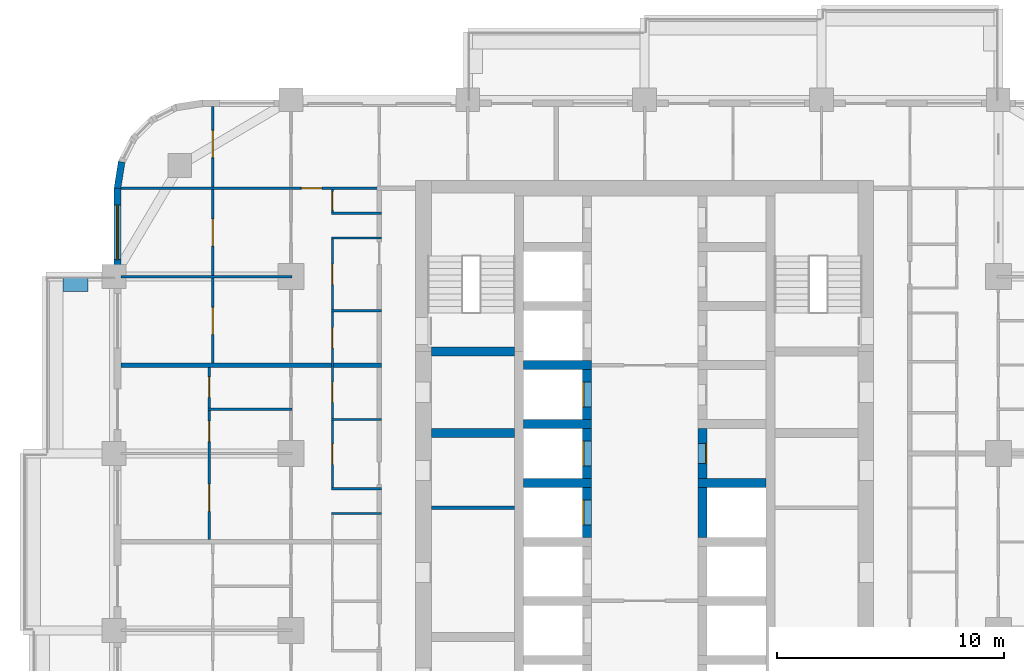
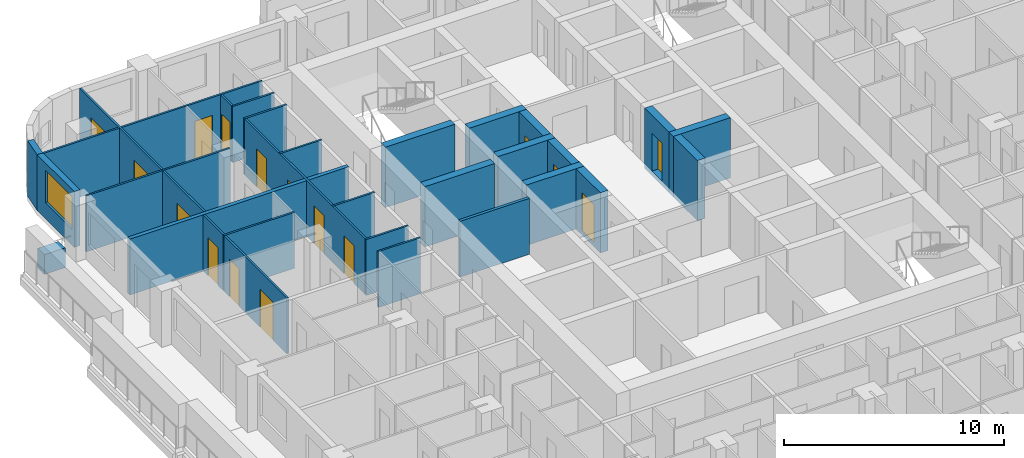
# One storey, part 10 of 17: 29 walls, 16 doors, 1 window, 17 openings.
"""IFC4 building model written with IfcOpenShell, lengths in metres."""

from ifc_helpers import new_model, si_unit, direction, frame, frame_2d, origin, place, context, subcontext, project, spatial, rectangle, extrude, material, layer, layer_set, type_object, element, fill, save


model = new_model("IFC4")

# Units and contexts
model_context = context("Model", 3, precision=1e-05, world=origin(), true_north=direction((0.0, 1.0)))
body_context = subcontext(model_context, "Body", "Model", "MODEL_VIEW")
ifc_project = project(units=[si_unit("LENGTHUNIT", "METRE"), si_unit("AREAUNIT", "SQUARE_METRE"), si_unit("VOLUMEUNIT", "CUBIC_METRE"), si_unit("PLANEANGLEUNIT", "RADIAN"), si_unit("MASSUNIT", "GRAM", prefix="KILO")], contexts=[model_context])

# Site, building, storey
site_placement = place(None, origin())
site = spatial("IfcSite", under=ifc_project, at=site_placement, CompositionType="ELEMENT")
building_placement = place(site_placement, origin())
building = spatial("IfcBuilding", under=site, at=building_placement, Name="Ludao Terraces", CompositionType="ELEMENT")
storey_placement = place(building_placement, frame((0.0, 0.0, 43.300048828125)))
storey = spatial("IfcBuildingStorey", under=building, at=storey_placement, Name="L11", CompositionType="ELEMENT", Elevation=43.300048828125)

# Wall
ifc_material_1 = material(Name="Concrete C40", Category="concrete")
ifc_layer_1 = layer(ifc_material_1, 0.60009765625)
ifc_layer_set_1 = layer_set([ifc_layer_1], Name="ENV Planter trough 600")
wall_type_1 = type_object("IfcWallType", Name="ENV Planter trough 600", PredefinedType="USERDEFINED", material=ifc_layer_set_1)
wall_1_placement = place(storey_placement, frame((59.35009765625, 80.25, 0.0), z_axis=(0.0, 0.0, 1.0), x_axis=(1.0, 0.0, 0.0)))
element("IfcWall", 1, at=wall_1_placement, inside=storey, type_object=wall_type_1, Name="PL-L11-W4-SB", ObjectType="PLANTER", PredefinedType="USERDEFINED", context=body_context, shape_type="SweptSolid", body=[
    extrude(rectangle(XDim=1.099853515625, YDim=0.60009765625, at=frame_2d((0.5498046875, 0.0))), origin(), (0.0, 0.0, 1.0), 1.099853515625),
])

# Wall, opening, window
ifc_material_2 = material(Name="Granite cladding", Category="masonry")
ifc_layer_2 = layer(ifc_material_2, 0.0400390625, Category="stone")
ifc_material_3 = material(Name="Mineral wool")
ifc_layer_3 = layer(ifc_material_3, 0.06005859375)
ifc_layer_4 = layer(ifc_material_1, 0.199951171875, Category="concrete")
ifc_layer_set_2 = layer_set([ifc_layer_2, ifc_layer_3, ifc_layer_4], Name="ENV Stone-clad wall 300")
wall_type_2 = type_object("IfcWallType", Name="ENV Stone-clad wall 300", PredefinedType="SOLIDWALL", material=ifc_layer_set_2)
wall_2_placement = place(storey_placement, frame((61.75, 81.125, 0.0), z_axis=(0.0, 0.0, 1.0), x_axis=(0.0, 1.0, 0.0)))
wall_2 = element("IfcWall", 2, at=wall_2_placement, inside=storey, type_object=wall_type_2, Name="EW-L11-W6", PredefinedType="SOLIDWALL", context=body_context, shape_type="SweptSolid", body=[
    extrude(rectangle(XDim=3.375, YDim=0.300048828125, at=frame_2d((1.6875, 0.0))), origin(), (0.0, 0.0, 1.0), 3.099853515625),
])
opening_1_placement = place(wall_2_placement, frame((0.22509765625, 0.0, 0.89990234375)))
opening_1 = element("IfcOpeningElement", 3, at=opening_1_placement, cuts=wall_2, Name="Opening W1", PredefinedType="OPENING", context=body_context, shape_type="SweptSolid", body=[
    extrude(rectangle(XDim=2.39990234375, YDim=1.800048828125, at=frame_2d((1.199951171875, 0.89990234375))), frame((0.0, 0.16015625, 0.0), z_axis=(0.0, -1.0, 0.0), x_axis=(1.0, 0.0, 0.0)), (0.0, 0.0, 1.0), 0.320068359375),
])
ifc_material_4 = material(Name="Clear glass in aluminium frame", Category="aluminium")
ifc_layer_5 = layer(ifc_material_4, 0.06005859375)
ifc_layer_set_3 = layer_set([ifc_layer_5], Name="ENV Window W1 2400x1800")
window_type = type_object("IfcWindowType", Name="ENV Window W1 2400x1800", PartitioningType="DOUBLE_PANEL_VERTICAL", PredefinedType="WINDOW", material=ifc_layer_set_3)
window_placement = place(opening_1_placement, origin())
window = element("IfcWindow", 4, at=window_placement, inside=storey, type_object=window_type, Name="W-L11-W6-1", OverallHeight=1.800048828125, OverallWidth=2.39990234375, PartitioningType="DOUBLE_PANEL_VERTICAL", PredefinedType="WINDOW", context=body_context, shape_type="SweptSolid", body=[
    extrude(rectangle(XDim=2.39990234375, YDim=1.800048828125, at=frame_2d((1.199951171875, 0.89990234375))), frame((0.0, 0.030029296875, 0.0), z_axis=(0.0, -1.0, 0.0), x_axis=(1.0, 0.0, 0.0)), (0.0, 0.0, 1.0), 0.06005859375),
])
fill(opening_1, window)

# Walls
wall_3_placement = place(storey_placement, frame((61.93359375, 85.65869140625, 0.0), z_axis=(0.0, 0.0, 1.0), x_axis=(-0.156496880861, -0.987678452879, 0.0)))
element("IfcWall", 5, at=wall_3_placement, inside=storey, type_object=wall_type_2, Name="EW-L11-NW5", PredefinedType="SOLIDWALL", context=body_context, shape_type="SweptSolid", body=[
    extrude(rectangle(XDim=1.173095703125, YDim=0.300048828125, at=frame_2d((0.58642578125, 0.0))), origin(), (0.0, 0.0, 1.0), 3.099853515625),
])
ifc_material_5 = material(Name="Fire-rated gypsum plasterboard", Category="gypsum")
ifc_layer_6 = layer(ifc_material_5, 0.012451171875, Category="gypsum")
ifc_layer_7 = layer(ifc_material_3, 0.10009765625, Name="insulation")
ifc_material_6 = material(Name="Steel Q235", Category="steel")
ifc_layer_8 = layer(ifc_material_6, 0.02490234375, Name="stud")
ifc_layer_9 = layer(ifc_material_5, 0.012451171875, Category="gypsum")
ifc_layer_set_4 = layer_set([ifc_layer_6, ifc_layer_7, ifc_layer_8, ifc_layer_9], Name="INT Core partition 150")
wall_type_3 = type_object("IfcWallType", Name="INT Core partition 150", PredefinedType="PARTITIONING", material=ifc_layer_set_4)
wall_4_placement = place(storey_placement, frame((75.60009765625, 70.39990234375, 0.0), z_axis=(0.0, 0.0, 1.0), x_axis=(1.0, 0.0, 0.0)))
element("IfcWall", 6, at=wall_4_placement, inside=storey, type_object=wall_type_3, Name="PW-L11-PW052", PredefinedType="PARTITIONING", context=body_context, shape_type="SweptSolid", body=[
    extrude(rectangle(XDim=3.64990234375, YDim=0.14990234375, at=frame_2d((1.824951171875, 0.0))), origin(), (0.0, 0.0, 1.0), 3.099853515625),
])
ifc_material_7 = material(Name="Gypsum plasterboard", Category="gypsum")
ifc_layer_10 = layer(ifc_material_7, 0.012451171875, Category="gypsum")
ifc_layer_11 = layer(ifc_material_3, 0.06005859375, Name="insulation")
ifc_layer_12 = layer(ifc_material_6, 0.014892578125, Name="stud")
ifc_layer_13 = layer(ifc_material_7, 0.012451171875, Category="gypsum")
ifc_layer_set_5 = layer_set([ifc_layer_10, ifc_layer_11, ifc_layer_12, ifc_layer_13], Name="INT Partition 100")
wall_type_4 = type_object("IfcWallType", Name="INT Partition 100", PredefinedType="PARTITIONING", material=ifc_layer_set_5)
for number, where, z_axis, x_axis, name in (
    (7, (71.18017578125, 70.14990234375, 0.0), (0.0, 0.0, 1.0), (1.0, 0.0, 0.0), "PW-L11-PW051"),
    (8, (71.18017578125, 71.25, 0.0), (0.0, 0.0, 1.0), (1.0, 0.0, 0.0), "PW-L11-PW055"),
    (9, (71.18017578125, 74.300048828125, 0.0), (0.0, 0.0, 1.0), (1.0, 0.0, 0.0), "PW-L11-PW058"),
):
    element("IfcWall", number, at=place(storey_placement, frame(where, z_axis=z_axis, x_axis=x_axis)), inside=storey, type_object=wall_type_4, Name=name, PredefinedType="PARTITIONING", context=body_context, shape_type="SweptSolid", body=[
        extrude(rectangle(XDim=2.219970703125, YDim=0.10009765625, at=frame_2d((1.10986328125, 0.0))), origin(), (0.0, 0.0, 1.0), 3.099853515625),
    ])
wall_5_placement = place(storey_placement, frame((65.75, 74.75, 0.0), z_axis=(0.0, 0.0, 1.0), x_axis=(1.0, 0.0, 0.0)))
element("IfcWall", 10, at=wall_5_placement, inside=storey, type_object=wall_type_4, Name="PW-L11-PW060", PredefinedType="PARTITIONING", context=body_context, shape_type="SweptSolid", body=[
    extrude(rectangle(XDim=3.7001953125, YDim=0.10009765625, at=frame_2d((1.85009765625, 0.0))), origin(), (0.0, 0.0, 1.0), 3.099853515625),
])
wall_6_placement = place(storey_placement, frame((71.18017578125, 79.10009765625, 0.0), z_axis=(0.0, 0.0, 1.0), x_axis=(1.0, 0.0, 0.0)))
element("IfcWall", 11, at=wall_6_placement, inside=storey, type_object=wall_type_4, Name="PW-L11-PW068", PredefinedType="PARTITIONING", context=body_context, shape_type="SweptSolid", body=[
    extrude(rectangle(XDim=2.219970703125, YDim=0.10009765625, at=frame_2d((1.10986328125, 0.0))), origin(), (0.0, 0.0, 1.0), 3.099853515625),
])
wall_7_placement = place(storey_placement, frame((61.900146484375, 80.60009765625, 0.0), z_axis=(0.0, 0.0, 1.0), x_axis=(1.0, 0.0, 0.0)))
element("IfcWall", 12, at=wall_7_placement, inside=storey, type_object=wall_type_4, Name="PW-L11-PW070", PredefinedType="PARTITIONING", context=body_context, shape_type="SweptSolid", body=[
    extrude(rectangle(XDim=7.550048828125, YDim=0.10009765625, at=frame_2d((3.77490234375, 0.0))), origin(), (0.0, 0.0, 1.0), 3.099853515625),
])
for number, where, z_axis, x_axis, name in (
    (13, (71.18017578125, 82.300048828125, 0.0), (0.0, 0.0, 1.0), (1.0, 0.0, 0.0), "PW-L11-PW073"),
    (14, (71.18017578125, 83.39990234375, 0.0), (0.0, 0.0, 1.0), (1.0, 0.0, 0.0), "PW-L11-PW074"),
):
    element("IfcWall", number, at=place(storey_placement, frame(where, z_axis=z_axis, x_axis=x_axis)), inside=storey, type_object=wall_type_4, Name=name, PredefinedType="PARTITIONING", context=body_context, shape_type="SweptSolid", body=[
        extrude(rectangle(XDim=2.219970703125, YDim=0.10009765625, at=frame_2d((1.10986328125, 0.0))), origin(), (0.0, 0.0, 1.0), 3.099853515625),
    ])

# Wall, opening, door
wall_8_placement = place(storey_placement, frame((61.900146484375, 84.5, 0.0), z_axis=(0.0, 0.0, 1.0), x_axis=(1.0, 0.0, 0.0)))
wall_8 = element("IfcWall", 15, at=wall_8_placement, inside=storey, type_object=wall_type_4, Name="PW-L11-PW075", PredefinedType="PARTITIONING", context=body_context, shape_type="SweptSolid", body=[
    extrude(rectangle(XDim=11.5, YDim=0.10009765625, at=frame_2d((5.75, 0.0))), origin(), (0.0, 0.0, 1.0), 3.099853515625),
])
opening_2_placement = place(wall_8_placement, frame((7.965087890625, 0.0, 0.0)))
opening_2 = element("IfcOpeningElement", 16, at=opening_2_placement, cuts=wall_8, Name="Opening R03-153", PredefinedType="OPENING", context=body_context, shape_type="SweptSolid", body=[
    extrude(rectangle(XDim=0.89990234375, YDim=2.10009765625, at=frame_2d((0.449951171875, 1.050048828125))), frame((0.0, 0.06005859375, 0.0), z_axis=(0.0, -1.0, 0.0), x_axis=(1.0, 0.0, 0.0)), (0.0, 0.0, 1.0), 0.1201171875),
])
ifc_material_8 = material(Name="Timber door leaf", Category="wood")
door_type_1 = type_object("IfcDoorType", Name="INT Room door 900", OperationType="SINGLE_SWING_LEFT", PredefinedType="DOOR", material=ifc_material_8)
door_1_placement = place(opening_2_placement, origin())
door_1 = element("IfcDoor", 17, at=door_1_placement, inside=storey, type_object=door_type_1, Name="DOOR 153", OperationType="SINGLE_SWING_RIGHT", OverallHeight=2.10009765625, OverallWidth=0.89990234375, PredefinedType="DOOR", context=body_context, shape_type="SweptSolid", body=[
    extrude(rectangle(XDim=0.89990234375, YDim=2.10009765625, at=frame_2d((0.449951171875, 1.050048828125))), frame((0.0, 0.02490234375, 0.0), z_axis=(0.0, -1.0, 0.0), x_axis=(1.0, 0.0, 0.0)), (0.0, 0.0, 1.0), 0.050048828125),
])
fill(opening_2, door_1)

# Wall, openings, doors
wall_9_placement = place(storey_placement, frame((65.800048828125, 69.0, 0.0), z_axis=(0.0, 0.0, 1.0), x_axis=(0.0, 1.0, 0.0)))
wall_9 = element("IfcWall", 18, at=wall_9_placement, inside=storey, type_object=wall_type_4, Name="PW-L11-PW080", PredefinedType="PARTITIONING", context=body_context, shape_type="SweptSolid", body=[
    extrude(rectangle(XDim=7.60009765625, YDim=0.10009765625, at=frame_2d((3.800048828125, 0.0))), origin(), (0.0, 0.0, 1.0), 3.099853515625),
])
opening_3_placement = place(wall_9_placement, frame((1.25, 0.0, 0.0)))
opening_3 = element("IfcOpeningElement", 19, at=opening_3_placement, cuts=wall_9, Name="Opening R03-103", PredefinedType="OPENING", context=body_context, shape_type="SweptSolid", body=[
    extrude(rectangle(XDim=1.199951171875, YDim=2.10009765625, at=frame_2d((0.60009765625, 1.050048828125))), frame((0.0, 0.06005859375, 0.0), z_axis=(0.0, -1.0, 0.0), x_axis=(1.0, 0.0, 0.0)), (0.0, 0.0, 1.0), 0.1201171875),
])
opening_4_placement = place(wall_9_placement, frame((4.3251953125, 0.0, 0.0)))
opening_4 = element("IfcOpeningElement", 20, at=opening_4_placement, cuts=wall_9, Name="Opening R03-115", PredefinedType="OPENING", context=body_context, shape_type="SweptSolid", body=[
    extrude(rectangle(XDim=0.89990234375, YDim=2.10009765625, at=frame_2d((0.449951171875, 1.050048828125))), frame((0.0, 0.06005859375, 0.0), z_axis=(0.0, -1.0, 0.0), x_axis=(1.0, 0.0, 0.0)), (0.0, 0.0, 1.0), 0.1201171875),
])
opening_5_placement = place(wall_9_placement, frame((6.275146484375, 0.0, 0.0)))
opening_5 = element("IfcOpeningElement", 21, at=opening_5_placement, cuts=wall_9, Name="Opening R03-122", PredefinedType="OPENING", context=body_context, shape_type="SweptSolid", body=[
    extrude(rectangle(XDim=0.89990234375, YDim=2.10009765625, at=frame_2d((0.449951171875, 1.050048828125))), frame((0.0, 0.06005859375, 0.0), z_axis=(0.0, -1.0, 0.0), x_axis=(1.0, 0.0, 0.0)), (0.0, 0.0, 1.0), 0.1201171875),
])
door_type_2 = type_object("IfcDoorType", Name="INT Bathroom door 900", OperationType="SINGLE_SWING_LEFT", PredefinedType="DOOR", material=ifc_material_8)
door_2_placement = place(opening_4_placement, origin())
door_2 = element("IfcDoor", 22, at=door_2_placement, inside=storey, type_object=door_type_2, Name="DOOR 115", OperationType="SINGLE_SWING_RIGHT", OverallHeight=2.10009765625, OverallWidth=0.89990234375, PredefinedType="DOOR", context=body_context, shape_type="SweptSolid", body=[
    extrude(rectangle(XDim=0.89990234375, YDim=2.10009765625, at=frame_2d((0.449951171875, 1.050048828125))), frame((0.0, 0.02490234375, 0.0), z_axis=(0.0, -1.0, 0.0), x_axis=(1.0, 0.0, 0.0)), (0.0, 0.0, 1.0), 0.050048828125),
])
fill(opening_4, door_2)
door_type_3 = type_object("IfcDoorType", Name="INT Double door 1200", OperationType="DOUBLE_DOOR_SINGLE_SWING", PredefinedType="DOOR", material=ifc_material_8)
door_3_placement = place(opening_3_placement, origin())
door_3 = element("IfcDoor", 23, at=door_3_placement, inside=storey, type_object=door_type_3, Name="DOOR 103", OperationType="DOUBLE_DOOR_SINGLE_SWING", OverallHeight=2.10009765625, OverallWidth=1.199951171875, PredefinedType="DOOR", context=body_context, shape_type="SweptSolid", body=[
    extrude(rectangle(XDim=1.199951171875, YDim=2.10009765625, at=frame_2d((0.60009765625, 1.050048828125))), frame((0.0, 0.02490234375, 0.0), z_axis=(0.0, -1.0, 0.0), x_axis=(1.0, 0.0, 0.0)), (0.0, 0.0, 1.0), 0.050048828125),
])
fill(opening_3, door_3)
door_4_placement = place(opening_5_placement, origin())
door_4 = element("IfcDoor", 24, at=door_4_placement, inside=storey, type_object=door_type_1, Name="DOOR 122", OperationType="SINGLE_SWING_LEFT", OverallHeight=2.10009765625, OverallWidth=0.89990234375, PredefinedType="DOOR", context=body_context, shape_type="SweptSolid", body=[
    extrude(rectangle(XDim=0.89990234375, YDim=2.10009765625, at=frame_2d((0.449951171875, 1.050048828125))), frame((0.0, 0.02490234375, 0.0), z_axis=(0.0, -1.0, 0.0), x_axis=(1.0, 0.0, 0.0)), (0.0, 0.0, 1.0), 0.050048828125),
])
fill(opening_5, door_4)

wall_10_placement = place(storey_placement, frame((65.949951171875, 76.800048828125, 0.0), z_axis=(0.0, 0.0, 1.0), x_axis=(0.0, 1.0, 0.0)))
wall_10 = element("IfcWall", 25, at=wall_10_placement, inside=storey, type_object=wall_type_4, Name="PW-L11-PW082", PredefinedType="PARTITIONING", context=body_context, shape_type="SweptSolid", body=[
    extrude(rectangle(XDim=11.300048828125, YDim=0.10009765625, at=frame_2d((5.64990234375, 0.0))), origin(), (0.0, 0.0, 1.0), 3.099853515625),
])
opening_6_placement = place(wall_10_placement, frame((1.25, 0.0, 0.0)))
opening_6 = element("IfcOpeningElement", 26, at=opening_6_placement, cuts=wall_10, Name="Opening R03-135", PredefinedType="OPENING", context=body_context, shape_type="SweptSolid", body=[
    extrude(rectangle(XDim=1.199951171875, YDim=2.10009765625, at=frame_2d((0.60009765625, 1.050048828125))), frame((0.0, 0.06005859375, 0.0), z_axis=(0.0, -1.0, 0.0), x_axis=(1.0, 0.0, 0.0)), (0.0, 0.0, 1.0), 0.1201171875),
])
opening_7_placement = place(wall_10_placement, frame((5.14990234375, 0.0, 0.0)))
opening_7 = element("IfcOpeningElement", 27, at=opening_7_placement, cuts=wall_10, Name="Opening R03-145", PredefinedType="OPENING", context=body_context, shape_type="SweptSolid", body=[
    extrude(rectangle(XDim=1.199951171875, YDim=2.10009765625, at=frame_2d((0.60009765625, 1.050048828125))), frame((0.0, 0.06005859375, 0.0), z_axis=(0.0, -1.0, 0.0), x_axis=(1.0, 0.0, 0.0)), (0.0, 0.0, 1.0), 0.1201171875),
])
opening_8_placement = place(wall_10_placement, frame((9.050048828125, 0.0, 0.0)))
opening_8 = element("IfcOpeningElement", 28, at=opening_8_placement, cuts=wall_10, Name="Opening R03-155", PredefinedType="OPENING", context=body_context, shape_type="SweptSolid", body=[
    extrude(rectangle(XDim=1.199951171875, YDim=2.10009765625, at=frame_2d((0.60009765625, 1.050048828125))), frame((0.0, 0.06005859375, 0.0), z_axis=(0.0, -1.0, 0.0), x_axis=(1.0, 0.0, 0.0)), (0.0, 0.0, 1.0), 0.1201171875),
])
door_5_placement = place(opening_6_placement, origin())
door_5 = element("IfcDoor", 29, at=door_5_placement, inside=storey, type_object=door_type_3, Name="DOOR 135", OperationType="DOUBLE_DOOR_SINGLE_SWING", OverallHeight=2.10009765625, OverallWidth=1.199951171875, PredefinedType="DOOR", context=body_context, shape_type="SweptSolid", body=[
    extrude(rectangle(XDim=1.199951171875, YDim=2.10009765625, at=frame_2d((0.60009765625, 1.050048828125))), frame((0.0, 0.02490234375, 0.0), z_axis=(0.0, -1.0, 0.0), x_axis=(1.0, 0.0, 0.0)), (0.0, 0.0, 1.0), 0.050048828125),
])
fill(opening_6, door_5)
door_6_placement = place(opening_7_placement, origin())
door_6 = element("IfcDoor", 30, at=door_6_placement, inside=storey, type_object=door_type_3, Name="DOOR 145", OperationType="DOUBLE_DOOR_SINGLE_SWING", OverallHeight=2.10009765625, OverallWidth=1.199951171875, PredefinedType="DOOR", context=body_context, shape_type="SweptSolid", body=[
    extrude(rectangle(XDim=1.199951171875, YDim=2.10009765625, at=frame_2d((0.60009765625, 1.050048828125))), frame((0.0, 0.02490234375, 0.0), z_axis=(0.0, -1.0, 0.0), x_axis=(1.0, 0.0, 0.0)), (0.0, 0.0, 1.0), 0.050048828125),
])
fill(opening_7, door_6)
door_7_placement = place(opening_8_placement, origin())
door_7 = element("IfcDoor", 31, at=door_7_placement, inside=storey, type_object=door_type_3, Name="DOOR 155", OperationType="DOUBLE_DOOR_SINGLE_SWING", OverallHeight=2.10009765625, OverallWidth=1.199951171875, PredefinedType="DOOR", context=body_context, shape_type="SweptSolid", body=[
    extrude(rectangle(XDim=1.199951171875, YDim=2.10009765625, at=frame_2d((0.60009765625, 1.050048828125))), frame((0.0, 0.02490234375, 0.0), z_axis=(0.0, -1.0, 0.0), x_axis=(1.0, 0.0, 0.0)), (0.0, 0.0, 1.0), 0.050048828125),
])
fill(opening_8, door_7)

wall_11_placement = place(storey_placement, frame((71.22998046875, 71.300048828125, 0.0), z_axis=(0.0, 0.0, 1.0), x_axis=(0.0, 1.0, 0.0)))
wall_11 = element("IfcWall", 32, at=wall_11_placement, inside=storey, type_object=wall_type_4, Name="PW-L11-PW087", PredefinedType="PARTITIONING", context=body_context, shape_type="SweptSolid", body=[
    extrude(rectangle(XDim=10.949951171875, YDim=0.10009765625, at=frame_2d((5.47509765625, 0.0))), origin(), (0.0, 0.0, 1.0), 3.099853515625),
])
opening_9_placement = place(wall_11_placement, frame((1.02490234375, 0.0, 0.0)))
opening_9 = element("IfcOpeningElement", 33, at=opening_9_placement, cuts=wall_11, Name="Opening R03-111", PredefinedType="OPENING", context=body_context, shape_type="SweptSolid", body=[
    extrude(rectangle(XDim=0.89990234375, YDim=2.10009765625, at=frame_2d((0.449951171875, 1.050048828125))), frame((0.0, 0.06005859375, 0.0), z_axis=(0.0, -1.0, 0.0), x_axis=(1.0, 0.0, 0.0)), (0.0, 0.0, 1.0), 0.1201171875),
])
opening_10_placement = place(wall_11_placement, frame((3.75, 0.0, 0.0)))
opening_10 = element("IfcOpeningElement", 34, at=opening_10_placement, cuts=wall_11, Name="Opening R03-119", PredefinedType="OPENING", context=body_context, shape_type="SweptSolid", body=[
    extrude(rectangle(XDim=0.89990234375, YDim=2.10009765625, at=frame_2d((0.449951171875, 1.050048828125))), frame((0.0, 0.06005859375, 0.0), z_axis=(0.0, -1.0, 0.0), x_axis=(1.0, 0.0, 0.0)), (0.0, 0.0, 1.0), 0.1201171875),
])
opening_11_placement = place(wall_11_placement, frame((6.14990234375, 0.0, 0.0)))
opening_11 = element("IfcOpeningElement", 35, at=opening_11_placement, cuts=wall_11, Name="Opening R03-129", PredefinedType="OPENING", context=body_context, shape_type="SweptSolid", body=[
    extrude(rectangle(XDim=0.89990234375, YDim=2.10009765625, at=frame_2d((0.449951171875, 1.050048828125))), frame((0.0, 0.06005859375, 0.0), z_axis=(0.0, -1.0, 0.0), x_axis=(1.0, 0.0, 0.0)), (0.0, 0.0, 1.0), 0.1201171875),
])
opening_12_placement = place(wall_11_placement, frame((8.949951171875, 0.0, 0.0)))
opening_12 = element("IfcOpeningElement", 36, at=opening_12_placement, cuts=wall_11, Name="Opening R03-141", PredefinedType="OPENING", context=body_context, shape_type="SweptSolid", body=[
    extrude(rectangle(XDim=0.89990234375, YDim=2.10009765625, at=frame_2d((0.449951171875, 1.050048828125))), frame((0.0, 0.06005859375, 0.0), z_axis=(0.0, -1.0, 0.0), x_axis=(1.0, 0.0, 0.0)), (0.0, 0.0, 1.0), 0.1201171875),
])
door_8_placement = place(opening_10_placement, origin())
door_8 = element("IfcDoor", 37, at=door_8_placement, inside=storey, type_object=door_type_2, Name="DOOR 119", OperationType="SINGLE_SWING_LEFT", OverallHeight=2.10009765625, OverallWidth=0.89990234375, PredefinedType="DOOR", context=body_context, shape_type="SweptSolid", body=[
    extrude(rectangle(XDim=0.89990234375, YDim=2.10009765625, at=frame_2d((0.449951171875, 1.050048828125))), frame((0.0, 0.02490234375, 0.0), z_axis=(0.0, -1.0, 0.0), x_axis=(1.0, 0.0, 0.0)), (0.0, 0.0, 1.0), 0.050048828125),
])
fill(opening_10, door_8)
door_9_placement = place(opening_11_placement, origin())
door_9 = element("IfcDoor", 38, at=door_9_placement, inside=storey, type_object=door_type_2, Name="DOOR 129", OperationType="SINGLE_SWING_RIGHT", OverallHeight=2.10009765625, OverallWidth=0.89990234375, PredefinedType="DOOR", context=body_context, shape_type="SweptSolid", body=[
    extrude(rectangle(XDim=0.89990234375, YDim=2.10009765625, at=frame_2d((0.449951171875, 1.050048828125))), frame((0.0, 0.02490234375, 0.0), z_axis=(0.0, -1.0, 0.0), x_axis=(1.0, 0.0, 0.0)), (0.0, 0.0, 1.0), 0.050048828125),
])
fill(opening_11, door_9)
door_10_placement = place(opening_9_placement, origin())
door_10 = element("IfcDoor", 39, at=door_10_placement, inside=storey, type_object=door_type_1, Name="DOOR 111", OperationType="SINGLE_SWING_RIGHT", OverallHeight=2.10009765625, OverallWidth=0.89990234375, PredefinedType="DOOR", context=body_context, shape_type="SweptSolid", body=[
    extrude(rectangle(XDim=0.89990234375, YDim=2.10009765625, at=frame_2d((0.449951171875, 1.050048828125))), frame((0.0, 0.02490234375, 0.0), z_axis=(0.0, -1.0, 0.0), x_axis=(1.0, 0.0, 0.0)), (0.0, 0.0, 1.0), 0.050048828125),
])
fill(opening_9, door_10)
door_11_placement = place(opening_12_placement, origin())
door_11 = element("IfcDoor", 40, at=door_11_placement, inside=storey, type_object=door_type_1, Name="DOOR 141", OperationType="SINGLE_SWING_LEFT", OverallHeight=2.10009765625, OverallWidth=0.89990234375, PredefinedType="DOOR", context=body_context, shape_type="SweptSolid", body=[
    extrude(rectangle(XDim=0.89990234375, YDim=2.10009765625, at=frame_2d((0.449951171875, 1.050048828125))), frame((0.0, 0.02490234375, 0.0), z_axis=(0.0, -1.0, 0.0), x_axis=(1.0, 0.0, 0.0)), (0.0, 0.0, 1.0), 0.050048828125),
])
fill(opening_12, door_11)

# Wall, opening, door
wall_12_placement = place(storey_placement, frame((71.22998046875, 83.4501953125, 0.0), z_axis=(0.0, 0.0, 1.0), x_axis=(0.0, 1.0, 0.0)))
wall_12 = element("IfcWall", 41, at=wall_12_placement, inside=storey, type_object=wall_type_4, Name="PW-L11-PW088", PredefinedType="PARTITIONING", context=body_context, shape_type="SweptSolid", body=[
    extrude(rectangle(XDim=1.0, YDim=0.10009765625, at=frame_2d((0.5, 0.0))), origin(), (0.0, 0.0, 1.0), 3.099853515625),
])
opening_13_placement = place(wall_12_placement, frame((0.10009765625, 0.0, 0.0)))
opening_13 = element("IfcOpeningElement", 42, at=opening_13_placement, cuts=wall_12, Name="Opening R03-152", PredefinedType="OPENING", context=body_context, shape_type="SweptSolid", body=[
    extrude(rectangle(XDim=0.800048828125, YDim=2.10009765625, at=frame_2d((0.39990234375, 1.050048828125))), frame((0.0, 0.06005859375, 0.0), z_axis=(0.0, -1.0, 0.0), x_axis=(1.0, 0.0, 0.0)), (0.0, 0.0, 1.0), 0.1201171875),
])
door_type_4 = type_object("IfcDoorType", Name="INT Store door 800", OperationType="SINGLE_SWING_LEFT", PredefinedType="DOOR", material=ifc_material_8)
door_12_placement = place(opening_13_placement, origin())
door_12 = element("IfcDoor", 43, at=door_12_placement, inside=storey, type_object=door_type_4, Name="DOOR 152", OperationType="SINGLE_SWING_RIGHT", OverallHeight=2.10009765625, OverallWidth=0.800048828125, PredefinedType="DOOR", context=body_context, shape_type="SweptSolid", body=[
    extrude(rectangle(XDim=0.800048828125, YDim=2.10009765625, at=frame_2d((0.39990234375, 1.050048828125))), frame((0.0, 0.02490234375, 0.0), z_axis=(0.0, -1.0, 0.0), x_axis=(1.0, 0.0, 0.0)), (0.0, 0.0, 1.0), 0.050048828125),
])
fill(opening_13, door_12)

# Wall
ifc_material_9 = material(Name="Autoclaved aerated concrete block B06 A3.5", Category="concrete")
ifc_layer_14 = layer(ifc_material_9, 0.199951171875)
ifc_layer_set_6 = layer_set([ifc_layer_14], Name="INT Party wall 200")
wall_type_5 = type_object("IfcWallType", Name="INT Party wall 200", PredefinedType="PARTITIONING", material=ifc_layer_set_6)
wall_13_placement = place(storey_placement, frame((61.900146484375, 76.699951171875, 0.0), z_axis=(0.0, 0.0, 1.0), x_axis=(1.0, 0.0, 0.0)))
element("IfcWall", 44, at=wall_13_placement, inside=storey, type_object=wall_type_5, Name="PW-L11-PW062", PredefinedType="PARTITIONING", context=body_context, shape_type="SweptSolid", body=[
    extrude(rectangle(XDim=11.5, YDim=0.199951171875, at=frame_2d((5.75, 0.0))), origin(), (0.0, 0.0, 1.0), 3.099853515625),
])

# Wall, opening, door
ifc_material_10 = material(Name="Concrete C60", Category="concrete")
ifc_layer_15 = layer(ifc_material_10, 0.39990234375)
ifc_layer_set_7 = layer_set([ifc_layer_15], Name="Shaft wall 400 C60")
wall_type_6 = type_object("IfcWallType", Name="Shaft wall 400 C60", PredefinedType="SOLIDWALL", material=ifc_layer_set_7)
wall_14_placement = place(storey_placement, frame((82.449951171875, 69.10009765625, -0.25), z_axis=(0.0, 0.0, 1.0), x_axis=(0.0, 1.0, 0.0)))
wall_14 = element("IfcWall", 45, at=wall_14_placement, inside=storey, type_object=wall_type_6, Name="Core wall L11 front-W4", PredefinedType="SOLIDWALL", context=body_context, shape_type="SweptSolid", body=[
    extrude(rectangle(XDim=2.199951171875, YDim=0.39990234375, at=frame_2d((1.10009765625, 0.0))), origin(), (0.0, 0.0, 1.0), 3.349853515625),
])
opening_14_placement = place(wall_14_placement, frame((0.550048828125, 0.0, 0.25)))
opening_14 = element("IfcOpeningElement", 46, at=opening_14_placement, cuts=wall_14, Name="Opening LD-LA4", PredefinedType="OPENING", context=body_context, shape_type="SweptSolid", body=[
    extrude(rectangle(XDim=1.10009765625, YDim=2.10009765625, at=frame_2d((0.550048828125, 1.050048828125))), frame((0.0, 0.2099609375, 0.0), z_axis=(0.0, -1.0, 0.0), x_axis=(1.0, 0.0, 0.0)), (0.0, 0.0, 1.0), 0.419921875),
])
ifc_material_11 = material(Name="Stainless steel 304", Category="steel")
door_type_5 = type_object("IfcDoorType", Name="INT Lift landing door 1100", OperationType="SLIDING_TO_LEFT", PredefinedType="DOOR", material=ifc_material_11)
door_13_placement = place(opening_14_placement, origin())
door_13 = element("IfcDoor", 47, at=door_13_placement, inside=storey, type_object=door_type_5, Name="LANDING DOOR LA4 L11", OperationType="SLIDING_TO_LEFT", OverallHeight=2.10009765625, OverallWidth=1.10009765625, PredefinedType="DOOR", context=body_context, shape_type="SweptSolid", body=[
    extrude(rectangle(XDim=1.10009765625, YDim=2.10009765625, at=frame_2d((0.550048828125, 1.050048828125))), frame((0.0, 0.18505859375, 0.0), z_axis=(0.0, -1.0, 0.0), x_axis=(1.0, 0.0, 0.0)), (0.0, 0.0, 1.0), 0.050048828125),
])
fill(opening_14, door_13)

# Wall
wall_15_placement = place(storey_placement, frame((79.64990234375, 71.5, -0.25), z_axis=(0.0, 0.0, 1.0), x_axis=(1.0, 0.0, 0.0)))
element("IfcWall", 48, at=wall_15_placement, inside=storey, type_object=wall_type_6, Name="Core wall L11 div-W5", PredefinedType="SOLIDWALL", context=body_context, shape_type="SweptSolid", body=[
    extrude(rectangle(XDim=3.0, YDim=0.39990234375, at=frame_2d((1.5, 0.0))), origin(), (0.0, 0.0, 1.0), 3.349853515625),
])

# Wall, opening, door
wall_16_placement = place(storey_placement, frame((82.449951171875, 71.699951171875, -0.25), z_axis=(0.0, 0.0, 1.0), x_axis=(0.0, 1.0, 0.0)))
wall_16 = element("IfcWall", 49, at=wall_16_placement, inside=storey, type_object=wall_type_6, Name="Core wall L11 front-W5", PredefinedType="SOLIDWALL", context=body_context, shape_type="SweptSolid", body=[
    extrude(rectangle(XDim=2.199951171875, YDim=0.39990234375, at=frame_2d((1.10009765625, 0.0))), origin(), (0.0, 0.0, 1.0), 3.349853515625),
])
opening_15_placement = place(wall_16_placement, frame((0.550048828125, 0.0, 0.25)))
opening_15 = element("IfcOpeningElement", 50, at=opening_15_placement, cuts=wall_16, Name="Opening LD-LA5", PredefinedType="OPENING", context=body_context, shape_type="SweptSolid", body=[
    extrude(rectangle(XDim=1.10009765625, YDim=2.10009765625, at=frame_2d((0.550048828125, 1.050048828125))), frame((0.0, 0.2099609375, 0.0), z_axis=(0.0, -1.0, 0.0), x_axis=(1.0, 0.0, 0.0)), (0.0, 0.0, 1.0), 0.419921875),
])
door_14_placement = place(opening_15_placement, origin())
door_14 = element("IfcDoor", 51, at=door_14_placement, inside=storey, type_object=door_type_5, Name="LANDING DOOR LA5 L11", OperationType="SLIDING_TO_LEFT", OverallHeight=2.10009765625, OverallWidth=1.10009765625, PredefinedType="DOOR", context=body_context, shape_type="SweptSolid", body=[
    extrude(rectangle(XDim=1.10009765625, YDim=2.10009765625, at=frame_2d((0.550048828125, 1.050048828125))), frame((0.0, 0.18505859375, 0.0), z_axis=(0.0, -1.0, 0.0), x_axis=(1.0, 0.0, 0.0)), (0.0, 0.0, 1.0), 0.050048828125),
])
fill(opening_15, door_14)

# Wall
wall_17_placement = place(storey_placement, frame((79.64990234375, 74.10009765625, -0.25), z_axis=(0.0, 0.0, 1.0), x_axis=(1.0, 0.0, 0.0)))
element("IfcWall", 52, at=wall_17_placement, inside=storey, type_object=wall_type_6, Name="Core wall L11 div-W6", PredefinedType="SOLIDWALL", context=body_context, shape_type="SweptSolid", body=[
    extrude(rectangle(XDim=3.0, YDim=0.39990234375, at=frame_2d((1.5, 0.0))), origin(), (0.0, 0.0, 1.0), 3.349853515625),
])

# Wall, opening, door
wall_18_placement = place(storey_placement, frame((82.449951171875, 74.300048828125, -0.25), z_axis=(0.0, 0.0, 1.0), x_axis=(0.0, 1.0, 0.0)))
wall_18 = element("IfcWall", 53, at=wall_18_placement, inside=storey, type_object=wall_type_6, Name="Core wall L11 front-W6", PredefinedType="SOLIDWALL", context=body_context, shape_type="SweptSolid", body=[
    extrude(rectangle(XDim=2.199951171875, YDim=0.39990234375, at=frame_2d((1.10009765625, 0.0))), origin(), (0.0, 0.0, 1.0), 3.349853515625),
])
opening_16_placement = place(wall_18_placement, frame((0.550048828125, 0.0, 0.25)))
opening_16 = element("IfcOpeningElement", 54, at=opening_16_placement, cuts=wall_18, Name="Opening LD-LA6", PredefinedType="OPENING", context=body_context, shape_type="SweptSolid", body=[
    extrude(rectangle(XDim=1.10009765625, YDim=2.10009765625, at=frame_2d((0.550048828125, 1.050048828125))), frame((0.0, 0.2099609375, 0.0), z_axis=(0.0, -1.0, 0.0), x_axis=(1.0, 0.0, 0.0)), (0.0, 0.0, 1.0), 0.419921875),
])
door_15_placement = place(opening_16_placement, origin())
door_15 = element("IfcDoor", 55, at=door_15_placement, inside=storey, type_object=door_type_5, Name="LANDING DOOR LA6 L11", OperationType="SLIDING_TO_LEFT", OverallHeight=2.10009765625, OverallWidth=1.10009765625, PredefinedType="DOOR", context=body_context, shape_type="SweptSolid", body=[
    extrude(rectangle(XDim=1.10009765625, YDim=2.10009765625, at=frame_2d((0.550048828125, 1.050048828125))), frame((0.0, 0.18505859375, 0.0), z_axis=(0.0, -1.0, 0.0), x_axis=(1.0, 0.0, 0.0)), (0.0, 0.0, 1.0), 0.050048828125),
])
fill(opening_16, door_15)

# Walls
wall_19_placement = place(storey_placement, frame((79.64990234375, 76.699951171875, -0.25), z_axis=(0.0, 0.0, 1.0), x_axis=(1.0, 0.0, 0.0)))
element("IfcWall", 56, at=wall_19_placement, inside=storey, type_object=wall_type_6, Name="Core wall L11 div-W7", PredefinedType="SOLIDWALL", context=body_context, shape_type="SweptSolid", body=[
    extrude(rectangle(XDim=3.0, YDim=0.39990234375, at=frame_2d((1.5, 0.0))), origin(), (0.0, 0.0, 1.0), 3.349853515625),
])
wall_20_placement = place(storey_placement, frame((87.550048828125, 69.10009765625, -0.25), z_axis=(0.0, 0.0, 1.0), x_axis=(0.0, 1.0, 0.0)))
element("IfcWall", 57, at=wall_20_placement, inside=storey, type_object=wall_type_6, Name="Core wall L11 front-E4", PredefinedType="SOLIDWALL", context=body_context, shape_type="SweptSolid", body=[
    extrude(rectangle(XDim=2.199951171875, YDim=0.39990234375, at=frame_2d((1.10009765625, 0.0))), origin(), (0.0, 0.0, 1.0), 3.349853515625),
])
wall_21_placement = place(storey_placement, frame((87.35009765625, 71.5, -0.25), z_axis=(0.0, 0.0, 1.0), x_axis=(1.0, 0.0, 0.0)))
element("IfcWall", 58, at=wall_21_placement, inside=storey, type_object=wall_type_6, Name="Core wall L11 div-E5", PredefinedType="SOLIDWALL", context=body_context, shape_type="SweptSolid", body=[
    extrude(rectangle(XDim=3.0, YDim=0.39990234375, at=frame_2d((1.5, 0.0))), origin(), (0.0, 0.0, 1.0), 3.349853515625),
])

# Wall, opening, door
wall_22_placement = place(storey_placement, frame((87.550048828125, 71.699951171875, -0.25), z_axis=(0.0, 0.0, 1.0), x_axis=(0.0, 1.0, 0.0)))
wall_22 = element("IfcWall", 59, at=wall_22_placement, inside=storey, type_object=wall_type_6, Name="Core wall L11 front-E5", PredefinedType="SOLIDWALL", context=body_context, shape_type="SweptSolid", body=[
    extrude(rectangle(XDim=2.199951171875, YDim=0.39990234375, at=frame_2d((1.10009765625, 0.0))), origin(), (0.0, 0.0, 1.0), 3.349853515625),
])
opening_17_placement = place(wall_22_placement, frame((0.64990234375, 0.0, 0.25)))
opening_17 = element("IfcOpeningElement", 60, at=opening_17_placement, cuts=wall_22, Name="Opening R03-113", PredefinedType="OPENING", context=body_context, shape_type="SweptSolid", body=[
    extrude(rectangle(XDim=0.89990234375, YDim=2.10009765625, at=frame_2d((0.449951171875, 1.050048828125))), frame((0.0, 0.2099609375, 0.0), z_axis=(0.0, -1.0, 0.0), x_axis=(1.0, 0.0, 0.0)), (0.0, 0.0, 1.0), 0.419921875),
])
door_16_placement = place(opening_17_placement, origin())
door_16 = element("IfcDoor", 61, at=door_16_placement, inside=storey, type_object=door_type_1, Name="DOOR 113", OperationType="SINGLE_SWING_RIGHT", OverallHeight=2.10009765625, OverallWidth=0.89990234375, PredefinedType="DOOR", context=body_context, shape_type="SweptSolid", body=[
    extrude(rectangle(XDim=0.89990234375, YDim=2.10009765625, at=frame_2d((0.449951171875, 1.050048828125))), frame((0.0, -0.134765625, 0.0), z_axis=(0.0, -1.0, 0.0), x_axis=(1.0, 0.0, 0.0)), (0.0, 0.0, 1.0), 0.050048828125),
])
fill(opening_17, door_16)

# Walls
for number, where, z_axis, x_axis, name in (
    (62, (75.60009765625, 73.699951171875, -0.25), (0.0, 0.0, 1.0), (1.0, 0.0, 0.0), "Core wall L11 riser-b-W"),
    (63, (75.60009765625, 77.300048828125, -0.25), (0.0, 0.0, 1.0), (1.0, 0.0, 0.0), "Core wall L11 stair-W"),
):
    element("IfcWall", number, at=place(storey_placement, frame(where, z_axis=z_axis, x_axis=x_axis)), inside=storey, type_object=wall_type_6, Name=name, PredefinedType="SOLIDWALL", context=body_context, shape_type="SweptSolid", body=[
        extrude(rectangle(XDim=3.64990234375, YDim=0.39990234375, at=frame_2d((1.824951171875, 0.0))), origin(), (0.0, 0.0, 1.0), 3.349853515625),
    ])

save(model, "model.ifc")
